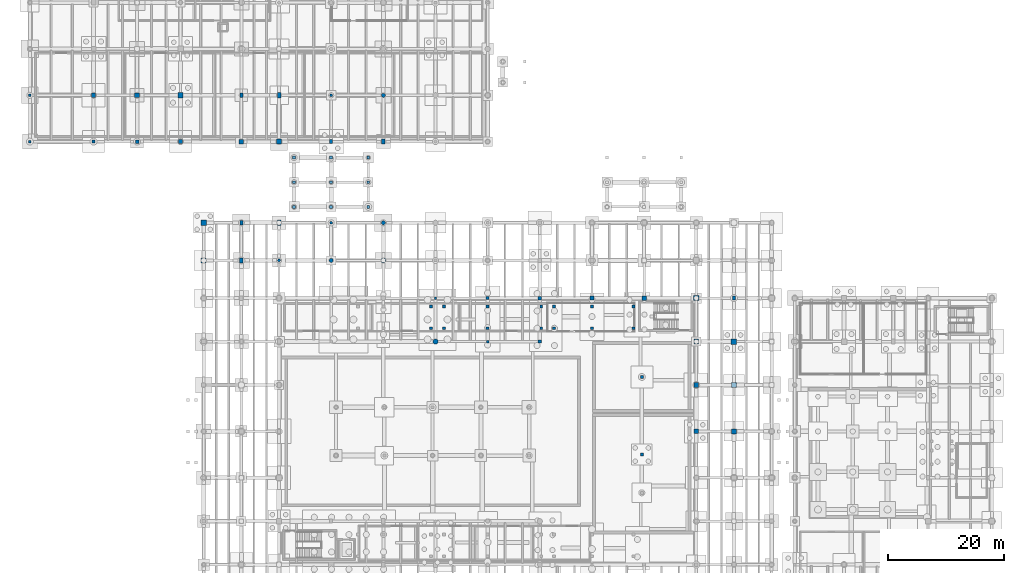
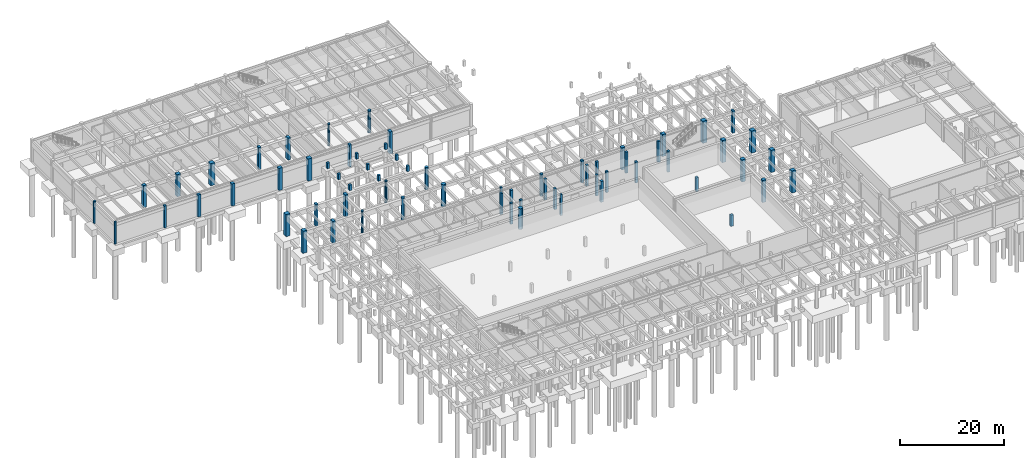
# One storey, part 17 of 36: 67 columns.
"""IFC4 building model written with IfcOpenShell, lengths in metres."""

from ifc_helpers import new_model, si_unit, direction, frame, origin, origin_2d, place, context, subcontext, project, spatial, rectangle, circle, extrude, material, material_profile, profile_set, type_object, element, save


model = new_model("IFC4")

# Units and contexts
model_context = context("Model", 3, precision=1e-05, world=origin(), true_north=direction((0.0, 1.0)))
body_context = subcontext(model_context, "Body", "Model", "MODEL_VIEW")
ifc_project = project(units=[si_unit("LENGTHUNIT", "METRE"), si_unit("AREAUNIT", "SQUARE_METRE"), si_unit("VOLUMEUNIT", "CUBIC_METRE"), si_unit("PLANEANGLEUNIT", "RADIAN"), si_unit("MASSUNIT", "GRAM", prefix="KILO"), si_unit("THERMODYNAMICTEMPERATUREUNIT", "KELVIN"), si_unit("POWERUNIT", "WATT")], contexts=[model_context])

# Site, building, storey
site_placement = place(None, origin())
site = spatial("IfcSite", under=ifc_project, at=site_placement, CompositionType="ELEMENT")
building_placement = place(site_placement, origin())
building = spatial("IfcBuilding", under=site, at=building_placement, Name="Tepalcoro Natatorium and Aquatics Centre", CompositionType="ELEMENT")
storey_placement = place(building_placement, frame((0.0, 0.0, -5.199951171875)))
storey = spatial("IfcBuildingStorey", under=building, at=storey_placement, Name="B1", CompositionType="ELEMENT", Elevation=-5.199951171875)

# Columns
ifc_material = material(Name="Concrete C40/50 (fc 40 MPa)", Category="concrete")
ifc_material_profile_1 = material_profile(ifc_material, rectangle(XDim=0.39990234375, YDim=0.39990234375, at=origin_2d()), Name="RC400x400")
ifc_profile_set_1 = profile_set([ifc_material_profile_1], Name="Concrete C40/50 (fc 40 MPa)")
column_type_1 = type_object("IfcColumnType", Name="COL_RC_400x400", PredefinedType="COLUMN", material=ifc_profile_set_1)
for number, where, z_axis, x_axis, name in (
    (1, (80.0, 59.0, 0.0), (0.0, 0.0, 1.0), (1.0, 0.0, 0.0), "V1 B1 Grid Column (80.0, 59.0)"),
    (2, (10.0, 86.0, 0.0), (0.0, 0.0, 1.0), (1.0, 0.0, 0.0), "V4 B1 Grid Column (10.0, 86.0)"),
):
    element("IfcColumn", number, at=place(storey_placement, frame(where, z_axis=z_axis, x_axis=x_axis)), inside=storey, type_object=column_type_1, Name=name, PredefinedType="COLUMN", context=body_context, shape_type="SweptSolid", body=[
        extrude(rectangle(XDim=0.39990234375, YDim=0.39990234375, at=origin_2d()), origin(), (0.0, 0.0, 1.0), 5.199951171875),
    ])
ifc_material_profile_2 = material_profile(ifc_material, rectangle(XDim=0.449951171875, YDim=0.449951171875, at=origin_2d()), Name="RC450x450")
ifc_profile_set_2 = profile_set([ifc_material_profile_2], Name="Concrete C40/50 (fc 40 MPa)")
column_type_2 = type_object("IfcColumnType", Name="COL_RC_450x450", PredefinedType="COLUMN", material=ifc_profile_set_2)
column_1_placement = place(storey_placement, frame((89.0, 51.5, 0.0), z_axis=(0.0, 0.0, 1.0), x_axis=(1.0, 0.0, 0.0)))
element("IfcColumn", 3, at=column_1_placement, inside=storey, type_object=column_type_2, Name="V1 B1 Grid Column (89.0, 51.5)", PredefinedType="COLUMN", context=body_context, shape_type="SweptSolid", body=[
    extrude(rectangle(XDim=0.449951171875, YDim=0.449951171875, at=origin_2d()), origin(), (0.0, 0.0, 1.0), 4.89990234375),
])
column_2_placement = place(storey_placement, frame((10.0, 94.0, 0.0), z_axis=(0.0, 0.0, 1.0), x_axis=(1.0, 0.0, 0.0)))
element("IfcColumn", 4, at=column_2_placement, inside=storey, type_object=column_type_2, Name="V4 B1 Grid Column (10.0, 94.0)", PredefinedType="COLUMN", context=body_context, shape_type="SweptSolid", body=[
    extrude(rectangle(XDim=0.449951171875, YDim=0.449951171875, at=origin_2d()), origin(), (0.0, 0.0, 1.0), 5.199951171875),
])
ifc_material_profile_3 = material_profile(ifc_material, rectangle(XDim=0.5, YDim=0.5, at=origin_2d()), Name="RC500x500")
ifc_profile_set_3 = profile_set([ifc_material_profile_3], Name="Concrete C40/50 (fc 40 MPa)")
column_type_3 = type_object("IfcColumnType", Name="COL_RC_500x500", PredefinedType="COLUMN", material=ifc_profile_set_3)
column_3_placement = place(storey_placement, frame((115.60009765625, 32.0, 0.0), z_axis=(0.0, 0.0, 1.0), x_axis=(1.0, 0.0, 0.0)))
element("IfcColumn", 5, at=column_3_placement, inside=storey, type_object=column_type_3, Name="Training Pool Basin Support Column", PredefinedType="COLUMN", context=body_context, shape_type="SweptSolid", body=[
    extrude(rectangle(XDim=0.5, YDim=0.5, at=origin_2d()), origin(), (0.0, 0.0, 1.0), 2.639892578125),
])
column_4_placement = place(storey_placement, frame((115.60009765625, 45.39990234375, 0.0), z_axis=(0.0, 0.0, 1.0), x_axis=(1.0, 0.0, 0.0)))
element("IfcColumn", 6, at=column_4_placement, inside=storey, type_object=column_type_3, Name="Leisure Pool Basin Support Column", PredefinedType="COLUMN", context=body_context, shape_type="SweptSolid", body=[
    extrude(rectangle(XDim=0.5, YDim=0.5, at=origin_2d()), origin(), (0.0, 0.0, 1.0), 3.2900390625),
])
for number, where, z_axis, x_axis, name in (
    (7, (89.0, 59.0, 0.0), (0.0, 0.0, 1.0), (1.0, 0.0, 0.0), "V1 B1 Grid Column (89.0, 59.0)"),
    (8, (21.0, 86.0, 0.0), (0.0, 0.0, 1.0), (1.0, 0.0, 0.0), "V4 B1 Grid Column (21.0, 86.0)"),
):
    element("IfcColumn", number, at=place(storey_placement, frame(where, z_axis=z_axis, x_axis=x_axis)), inside=storey, type_object=column_type_3, Name=name, PredefinedType="COLUMN", context=body_context, shape_type="SweptSolid", body=[
        extrude(rectangle(XDim=0.5, YDim=0.5, at=origin_2d()), origin(), (0.0, 0.0, 1.0), 5.199951171875),
    ])
for number, where, z_axis, x_axis, name in (
    (9, (55.60009765625, 74.75, 3.449951171875), (0.0, 0.0, 1.0), (1.0, 0.0, 0.0), "West Court Swimmers Arcade Foundation Pedestal Pier"),
    (10, (55.60009765625, 79.0, 3.449951171875), (0.0, 0.0, 1.0), (1.0, 0.0, 0.0), "West Court Swimmers Arcade Foundation Pedestal Pier"),
    (11, (55.60009765625, 83.25, 3.449951171875), (0.0, 0.0, 1.0), (1.0, 0.0, 0.0), "West Court Swimmers Arcade Foundation Pedestal Pier"),
    (12, (62.0, 74.75, 3.449951171875), (0.0, 0.0, 1.0), (1.0, 0.0, 0.0), "West Court Swimmers Arcade Foundation Pedestal Pier"),
    (13, (62.0, 79.0, 3.449951171875), (0.0, 0.0, 1.0), (1.0, 0.0, 0.0), "West Court Swimmers Arcade Foundation Pedestal Pier"),
    (14, (62.0, 83.25, 3.449951171875), (0.0, 0.0, 1.0), (1.0, 0.0, 0.0), "West Court Swimmers Arcade Foundation Pedestal Pier"),
    (15, (68.39990234375, 74.75, 3.449951171875), (0.0, 0.0, 1.0), (1.0, 0.0, 0.0), "West Court Swimmers Arcade Foundation Pedestal Pier"),
    (16, (68.39990234375, 79.0, 3.449951171875), (0.0, 0.0, 1.0), (1.0, 0.0, 0.0), "West Court Swimmers Arcade Foundation Pedestal Pier"),
    (17, (68.39990234375, 83.25, 3.449951171875), (0.0, 0.0, 1.0), (1.0, 0.0, 0.0), "West Court Swimmers Arcade Foundation Pedestal Pier"),
):
    element("IfcColumn", number, at=place(storey_placement, frame(where, z_axis=z_axis, x_axis=x_axis)), inside=storey, type_object=column_type_3, Name=name, PredefinedType="COLUMN", context=body_context, shape_type="SweptSolid", body=[
        extrude(rectangle(XDim=0.5, YDim=0.5, at=origin_2d()), origin(), (0.0, 0.0, 1.0), 1.330078125),
    ])
for number, where, z_axis, x_axis, name in (
    (18, (79.25, 53.800048828125, 0.0), (0.0, 0.0, 1.0), (1.0, 0.0, 0.0), "Spectator Bowl Support Column B1 N-F"),
    (19, (79.25, 57.550048828125, 0.0), (0.0, 0.0, 1.0), (1.0, 0.0, 0.0), "Spectator Bowl Support Column B1 N-B"),
    (20, (81.449951171875, 53.800048828125, 0.0), (0.0, 0.0, 1.0), (1.0, 0.0, 0.0), "Spectator Bowl Support Column B1 N-F"),
    (21, (81.449951171875, 57.550048828125, 0.0), (0.0, 0.0, 1.0), (1.0, 0.0, 0.0), "Spectator Bowl Support Column B1 N-B"),
    (22, (89.0, 53.800048828125, 0.0), (0.0, 0.0, 1.0), (1.0, 0.0, 0.0), "Spectator Bowl Support Column B1 N-F"),
    (23, (89.0, 57.550048828125, 0.0), (0.0, 0.0, 1.0), (1.0, 0.0, 0.0), "Spectator Bowl Support Column B1 N-B"),
    (24, (98.25, 53.800048828125, 0.0), (0.0, 0.0, 1.0), (1.0, 0.0, 0.0), "Spectator Bowl Support Column B1 N-F"),
    (25, (98.25, 57.550048828125, 0.0), (0.0, 0.0, 1.0), (1.0, 0.0, 0.0), "Spectator Bowl Support Column B1 N-B"),
    (26, (100.449951171875, 53.800048828125, 0.0), (0.0, 0.0, 1.0), (1.0, 0.0, 0.0), "Spectator Bowl Support Column B1 N-F"),
    (27, (100.449951171875, 57.550048828125, 0.0), (0.0, 0.0, 1.0), (1.0, 0.0, 0.0), "Spectator Bowl Support Column B1 N-B"),
    (28, (107.0, 53.800048828125, 0.0), (0.0, 0.0, 1.0), (1.0, 0.0, 0.0), "Spectator Bowl Support Column B1 N-F"),
    (29, (107.0, 57.550048828125, 0.0), (0.0, 0.0, 1.0), (1.0, 0.0, 0.0), "Spectator Bowl Support Column B1 N-B"),
    (30, (114.14990234375, 53.800048828125, 0.0), (0.0, 0.0, 1.0), (1.0, 0.0, 0.0), "Spectator Bowl Support Column B1 N-F"),
    (31, (114.14990234375, 57.550048828125, 0.0), (0.0, 0.0, 1.0), (1.0, 0.0, 0.0), "Spectator Bowl Support Column B1 N-B"),
):
    element("IfcColumn", number, at=place(storey_placement, frame(where, z_axis=z_axis, x_axis=x_axis)), inside=storey, type_object=column_type_3, Name=name, PredefinedType="COLUMN", context=body_context, shape_type="SweptSolid", body=[
        extrude(rectangle(XDim=0.5, YDim=0.5, at=origin_2d()), origin(), (0.0, 0.0, 1.0), 4.919921875),
    ])
ifc_material_profile_4 = material_profile(ifc_material, rectangle(XDim=0.5, YDim=0.699951171875, at=origin_2d()), Name="RC500x700")
ifc_profile_set_4 = profile_set([ifc_material_profile_4], Name="Concrete C40/50 (fc 40 MPa)")
column_type_4 = type_object("IfcColumnType", Name="COL_RC_500x700", PredefinedType="COLUMN", material=ifc_profile_set_4)
for number, where, z_axis, x_axis, name in (
    (32, (46.5, 72.0, 0.0), (0.0, 0.0, 1.0), (1.0, 0.0, 0.0), "V1 B1 Grid Column (46.5, 72.0)"),
    (33, (131.5, 59.0, 0.0), (0.0, 0.0, 1.0), (1.0, 0.0, 0.0), "V1 B1 Grid Column (131.5, 59.0)"),
    (34, (46.5, 94.0, 0.0), (0.0, 0.0, 1.0), (1.0, 0.0, 0.0), "V4 B1 Grid Column (46.5, 94.0)"),
    (35, (62.0, 86.0, 0.0), (0.0, 0.0, 1.0), (1.0, 0.0, 0.0), "V4 B1 Grid Column (62.0, 86.0)"),
):
    element("IfcColumn", number, at=place(storey_placement, frame(where, z_axis=z_axis, x_axis=x_axis)), inside=storey, type_object=column_type_4, Name=name, PredefinedType="COLUMN", context=body_context, shape_type="SweptSolid", body=[
        extrude(rectangle(XDim=0.5, YDim=0.699951171875, at=origin_2d()), origin(), (0.0, 0.0, 1.0), 5.199951171875),
    ])
ifc_material_profile_5 = material_profile(ifc_material, rectangle(XDim=0.550048828125, YDim=0.550048828125, at=origin_2d()), Name="RC550x550")
ifc_profile_set_5 = profile_set([ifc_material_profile_5], Name="Concrete C40/50 (fc 40 MPa)")
column_type_5 = type_object("IfcColumnType", Name="COL_RC_550x550", PredefinedType="COLUMN", material=ifc_profile_set_5)
column_5_placement = place(storey_placement, frame((98.0, 51.5, 0.0), z_axis=(0.0, 0.0, 1.0), x_axis=(1.0, 0.0, 0.0)))
element("IfcColumn", 36, at=column_5_placement, inside=storey, type_object=column_type_5, Name="V1 B1 Grid Column (98.0, 51.5)", PredefinedType="COLUMN", context=body_context, shape_type="SweptSolid", body=[
    extrude(rectangle(XDim=0.550048828125, YDim=0.550048828125, at=origin_2d()), origin(), (0.0, 0.0, 1.0), 4.89990234375),
])
ifc_material_profile_6 = material_profile(ifc_material, rectangle(XDim=0.60009765625, YDim=0.60009765625, at=origin_2d()), Name="RC600x600")
ifc_profile_set_6 = profile_set([ifc_material_profile_6], Name="Concrete C40/50 (fc 40 MPa)")
column_type_6 = type_object("IfcColumnType", Name="COL_RC_600x600", PredefinedType="COLUMN", material=ifc_profile_set_6)
for number, where, z_axis, x_axis, name in (
    (37, (98.0, 59.0, 0.0), (0.0, 0.0, 1.0), (1.0, 0.0, 0.0), "V1 B1 Grid Column (98.0, 59.0)"),
    (38, (28.5, 86.0, 0.0), (0.0, 0.0, 1.0), (1.0, 0.0, 0.0), "V4 B1 Grid Column (28.5, 86.0)"),
):
    element("IfcColumn", number, at=place(storey_placement, frame(where, z_axis=z_axis, x_axis=x_axis)), inside=storey, type_object=column_type_6, Name=name, PredefinedType="COLUMN", context=body_context, shape_type="SweptSolid", body=[
        extrude(rectangle(XDim=0.60009765625, YDim=0.60009765625, at=origin_2d()), origin(), (0.0, 0.0, 1.0), 5.199951171875),
    ])
ifc_material_profile_7 = material_profile(ifc_material, rectangle(XDim=0.60009765625, YDim=0.89990234375, at=origin_2d()), Name="RC600x900")
ifc_profile_set_7 = profile_set([ifc_material_profile_7], Name="Concrete C40/50 (fc 40 MPa)")
column_type_7 = type_object("IfcColumnType", Name="COL_RC_600x900", PredefinedType="COLUMN", material=ifc_profile_set_7)
for number, where, z_axis, x_axis, name in (
    (39, (46.5, 65.5, 0.0), (0.0, 0.0, 1.0), (1.0, 0.0, 0.0), "V1 B1 Grid Column (46.5, 65.5)"),
    (40, (53.0, 72.0, 0.0), (0.0, 0.0, 1.0), (1.0, 0.0, 0.0), "V1 B1 Grid Column (53.0, 72.0)"),
    (41, (53.0, 94.0, 0.0), (0.0, 0.0, 1.0), (1.0, 0.0, 0.0), "V4 B1 Grid Column (53.0, 94.0)"),
    (42, (71.0, 86.0, 0.0), (0.0, 0.0, 1.0), (1.0, 0.0, 0.0), "V4 B1 Grid Column (71.0, 86.0)"),
):
    element("IfcColumn", number, at=place(storey_placement, frame(where, z_axis=z_axis, x_axis=x_axis)), inside=storey, type_object=column_type_7, Name=name, PredefinedType="COLUMN", context=body_context, shape_type="SweptSolid", body=[
        extrude(rectangle(XDim=0.60009765625, YDim=0.89990234375, at=origin_2d()), origin(), (0.0, 0.0, 1.0), 5.199951171875),
    ])
ifc_material_profile_8 = material_profile(ifc_material, rectangle(XDim=0.699951171875, YDim=0.699951171875, at=origin_2d()), Name="RC700x700")
ifc_profile_set_8 = profile_set([ifc_material_profile_8], Name="Concrete C40/50 (fc 40 MPa)")
column_type_8 = type_object("IfcColumnType", Name="COL_RC_700x700", PredefinedType="COLUMN", material=ifc_profile_set_8)
for number, where, z_axis, x_axis, name in (
    (43, (107.0, 59.0, 0.0), (0.0, 0.0, 1.0), (1.0, 0.0, 0.0), "V1 B1 Grid Column (107.0, 59.0)"),
    (44, (21.0, 94.0, 0.0), (0.0, 0.0, 1.0), (1.0, 0.0, 0.0), "V4 B1 Grid Column (21.0, 94.0)"),
    (45, (36.0, 86.0, 0.0), (0.0, 0.0, 1.0), (1.0, 0.0, 0.0), "V4 B1 Grid Column (36.0, 86.0)"),
):
    element("IfcColumn", number, at=place(storey_placement, frame(where, z_axis=z_axis, x_axis=x_axis)), inside=storey, type_object=column_type_8, Name=name, PredefinedType="COLUMN", context=body_context, shape_type="SweptSolid", body=[
        extrude(rectangle(XDim=0.699951171875, YDim=0.699951171875, at=origin_2d()), origin(), (0.0, 0.0, 1.0), 5.199951171875),
    ])
ifc_material_profile_9 = material_profile(ifc_material, rectangle(XDim=0.75, YDim=0.75, at=origin_2d()), Name="RC750x750")
ifc_profile_set_9 = profile_set([ifc_material_profile_9], Name="Concrete C40/50 (fc 40 MPa)")
column_type_9 = type_object("IfcColumnType", Name="COL_RC_750x750", PredefinedType="COLUMN", material=ifc_profile_set_9)
column_6_placement = place(storey_placement, frame((125.0, 36.0, 0.0), z_axis=(0.0, 0.0, 1.0), x_axis=(1.0, 0.0, 0.0)))
element("IfcColumn", 46, at=column_6_placement, inside=storey, type_object=column_type_9, Name="V1 B1 Grid Column (125.0, 36.0)", PredefinedType="COLUMN", context=body_context, shape_type="SweptSolid", body=[
    extrude(rectangle(XDim=0.75, YDim=0.75, at=origin_2d()), origin(), (0.0, 0.0, 1.0), 5.199951171875),
])
ifc_material_profile_10 = material_profile(ifc_material, rectangle(XDim=0.800048828125, YDim=0.800048828125, at=origin_2d()), Name="RC800x800")
ifc_profile_set_10 = profile_set([ifc_material_profile_10], Name="Concrete C40/50 (fc 40 MPa)")
column_type_10 = type_object("IfcColumnType", Name="COL_RC_800x800", PredefinedType="COLUMN", material=ifc_profile_set_10)
for number, where, z_axis, x_axis, name in (
    (47, (116.0, 59.0, 0.0), (0.0, 0.0, 1.0), (1.0, 0.0, 0.0), "V1 B1 Grid Column (116.0, 59.0)"),
    (48, (125.0, 44.0, 0.0), (0.0, 0.0, 1.0), (1.0, 0.0, 0.0), "V1 B1 Grid Column (125.0, 44.0)"),
    (49, (28.5, 94.0, 0.0), (0.0, 0.0, 1.0), (1.0, 0.0, 0.0), "V4 B1 Grid Column (28.5, 94.0)"),
    (50, (46.5, 86.0, 0.0), (0.0, 0.0, 1.0), (1.0, 0.0, 0.0), "V4 B1 Grid Column (46.5, 86.0)"),
):
    element("IfcColumn", number, at=place(storey_placement, frame(where, z_axis=z_axis, x_axis=x_axis)), inside=storey, type_object=column_type_10, Name=name, PredefinedType="COLUMN", context=body_context, shape_type="SweptSolid", body=[
        extrude(rectangle(XDim=0.800048828125, YDim=0.800048828125, at=origin_2d()), origin(), (0.0, 0.0, 1.0), 5.199951171875),
    ])
ifc_material_profile_11 = material_profile(ifc_material, rectangle(XDim=0.85009765625, YDim=0.85009765625, at=origin_2d()), Name="RC850x850")
ifc_profile_set_11 = profile_set([ifc_material_profile_11], Name="Concrete C40/50 (fc 40 MPa)")
column_type_11 = type_object("IfcColumnType", Name="COL_RC_850x850", PredefinedType="COLUMN", material=ifc_profile_set_11)
for number, where, z_axis, x_axis, name in (
    (51, (40.0, 65.5, 0.0), (0.0, 0.0, 1.0), (1.0, 0.0, 0.0), "V1 B1 Grid Column (40.0, 65.5)"),
    (52, (125.0, 51.5, 0.0), (0.0, 0.0, 1.0), (1.0, 0.0, 0.0), "V1 B1 Grid Column (125.0, 51.5)"),
    (53, (131.5, 36.0, 0.0), (0.0, 0.0, 1.0), (1.0, 0.0, 0.0), "V1 B1 Grid Column (131.5, 36.0)"),
):
    element("IfcColumn", number, at=place(storey_placement, frame(where, z_axis=z_axis, x_axis=x_axis)), inside=storey, type_object=column_type_11, Name=name, PredefinedType="COLUMN", context=body_context, shape_type="SweptSolid", body=[
        extrude(rectangle(XDim=0.85009765625, YDim=0.85009765625, at=origin_2d()), origin(), (0.0, 0.0, 1.0), 5.199951171875),
    ])
ifc_material_profile_12 = material_profile(ifc_material, rectangle(XDim=0.89990234375, YDim=0.89990234375, at=origin_2d()), Name="RC900x900")
ifc_profile_set_12 = profile_set([ifc_material_profile_12], Name="Concrete C40/50 (fc 40 MPa)")
column_type_12 = type_object("IfcColumnType", Name="COL_RC_900x900", PredefinedType="COLUMN", material=ifc_profile_set_12)
for number, where, z_axis, x_axis, name in (
    (54, (40.0, 72.0, 0.0), (0.0, 0.0, 1.0), (1.0, 0.0, 0.0), "V1 B1 Grid Column (40.0, 72.0)"),
    (55, (125.0, 59.0, 0.0), (0.0, 0.0, 1.0), (1.0, 0.0, 0.0), "V1 B1 Grid Column (125.0, 59.0)"),
    (56, (131.5, 44.0, 0.0), (0.0, 0.0, 1.0), (1.0, 0.0, 0.0), "V1 B1 Grid Column (131.5, 44.0)"),
    (57, (36.0, 94.0, 0.0), (0.0, 0.0, 1.0), (1.0, 0.0, 0.0), "V4 B1 Grid Column (36.0, 94.0)"),
    (58, (53.0, 86.0, 0.0), (0.0, 0.0, 1.0), (1.0, 0.0, 0.0), "V4 B1 Grid Column (53.0, 86.0)"),
):
    element("IfcColumn", number, at=place(storey_placement, frame(where, z_axis=z_axis, x_axis=x_axis)), inside=storey, type_object=column_type_12, Name=name, PredefinedType="COLUMN", context=body_context, shape_type="SweptSolid", body=[
        extrude(rectangle(XDim=0.89990234375, YDim=0.89990234375, at=origin_2d()), origin(), (0.0, 0.0, 1.0), 5.199951171875),
    ])
ifc_material_profile_13 = material_profile(ifc_material, rectangle(XDim=0.949951171875, YDim=0.949951171875, at=origin_2d()), Name="RC950x950")
ifc_profile_set_13 = profile_set([ifc_material_profile_13], Name="Concrete C40/50 (fc 40 MPa)")
column_type_13 = type_object("IfcColumnType", Name="COL_RC_950x950", PredefinedType="COLUMN", material=ifc_profile_set_13)
column_7_placement = place(storey_placement, frame((131.5, 51.5, 0.0), z_axis=(0.0, 0.0, 1.0), x_axis=(1.0, 0.0, 0.0)))
element("IfcColumn", 59, at=column_7_placement, inside=storey, type_object=column_type_13, Name="V1 B1 Grid Column (131.5, 51.5)", PredefinedType="COLUMN", context=body_context, shape_type="SweptSolid", body=[
    extrude(rectangle(XDim=0.949951171875, YDim=0.949951171875, at=origin_2d()), origin(), (0.0, 0.0, 1.0), 5.199951171875),
])
ifc_material_profile_14 = material_profile(ifc_material, circle(Radius=0.25, at=origin_2d()), Name="RCD500")
ifc_profile_set_14 = profile_set([ifc_material_profile_14], Name="Concrete C40/50 (fc 40 MPa)")
column_type_14 = type_object("IfcColumnType", Name="COL_RC_D500", PredefinedType="COLUMN", material=ifc_profile_set_14)
for number, where, z_axis, x_axis, name in (
    (60, (53.0, 65.5, 0.0), (0.0, 0.0, 1.0), (1.0, 0.0, 0.0), "V1 B1 Grid Column (53.0, 65.5)"),
    (61, (62.0, 72.0, 0.0), (0.0, 0.0, 1.0), (1.0, 0.0, 0.0), "V1 B1 Grid Column (62.0, 72.0)"),
    (62, (62.0, 94.0, 0.0), (0.0, 0.0, 1.0), (1.0, 0.0, 0.0), "V4 B1 Grid Column (62.0, 94.0)"),
):
    element("IfcColumn", number, at=place(storey_placement, frame(where, z_axis=z_axis, x_axis=x_axis)), inside=storey, type_object=column_type_14, Name=name, PredefinedType="COLUMN", context=body_context, shape_type="SweptSolid", body=[
        extrude(circle(Radius=0.25, at=origin_2d()), origin(), (0.0, 0.0, 1.0), 5.199951171875),
    ])
ifc_material_profile_15 = material_profile(ifc_material, circle(Radius=0.35009765625, at=origin_2d()), Name="RCD700")
ifc_profile_set_15 = profile_set([ifc_material_profile_15], Name="Concrete C40/50 (fc 40 MPa)")
column_type_15 = type_object("IfcColumnType", Name="COL_RC_D700", PredefinedType="COLUMN", material=ifc_profile_set_15)
for number, where, z_axis, x_axis, name in (
    (63, (62.0, 65.5, 0.0), (0.0, 0.0, 1.0), (1.0, 0.0, 0.0), "V1 B1 Grid Column (62.0, 65.5)"),
    (64, (71.0, 72.0, 0.0), (0.0, 0.0, 1.0), (1.0, 0.0, 0.0), "V1 B1 Grid Column (71.0, 72.0)"),
    (65, (71.0, 94.0, 0.0), (0.0, 0.0, 1.0), (1.0, 0.0, 0.0), "V4 B1 Grid Column (71.0, 94.0)"),
):
    element("IfcColumn", number, at=place(storey_placement, frame(where, z_axis=z_axis, x_axis=x_axis)), inside=storey, type_object=column_type_15, Name=name, PredefinedType="COLUMN", context=body_context, shape_type="SweptSolid", body=[
        extrude(circle(Radius=0.35009765625, at=origin_2d()), origin(), (0.0, 0.0, 1.0), 5.199951171875),
    ])
ifc_material_profile_16 = material_profile(ifc_material, circle(Radius=0.449951171875, at=origin_2d()), Name="RCD900")
ifc_profile_set_16 = profile_set([ifc_material_profile_16], Name="Concrete C40/50 (fc 40 MPa)")
column_type_16 = type_object("IfcColumnType", Name="COL_RC_D900", PredefinedType="COLUMN", material=ifc_profile_set_16)
column_8_placement = place(storey_placement, frame((71.0, 65.5, 0.0), z_axis=(0.0, 0.0, 1.0), x_axis=(1.0, 0.0, 0.0)))
element("IfcColumn", 66, at=column_8_placement, inside=storey, type_object=column_type_16, Name="V1 B1 Grid Column (71.0, 65.5)", PredefinedType="COLUMN", context=body_context, shape_type="SweptSolid", body=[
    extrude(circle(Radius=0.449951171875, at=origin_2d()), origin(), (0.0, 0.0, 1.0), 5.199951171875),
])
column_9_placement = place(storey_placement, frame((80.0, 51.5, 0.0), z_axis=(0.0, 0.0, 1.0), x_axis=(1.0, 0.0, 0.0)))
element("IfcColumn", 67, at=column_9_placement, inside=storey, type_object=column_type_16, Name="V1 B1 Grid Column (80.0, 51.5)", PredefinedType="COLUMN", context=body_context, shape_type="SweptSolid", body=[
    extrude(circle(Radius=0.449951171875, at=origin_2d()), origin(), (0.0, 0.0, 1.0), 4.89990234375),
])

save(model, "model.ifc")
